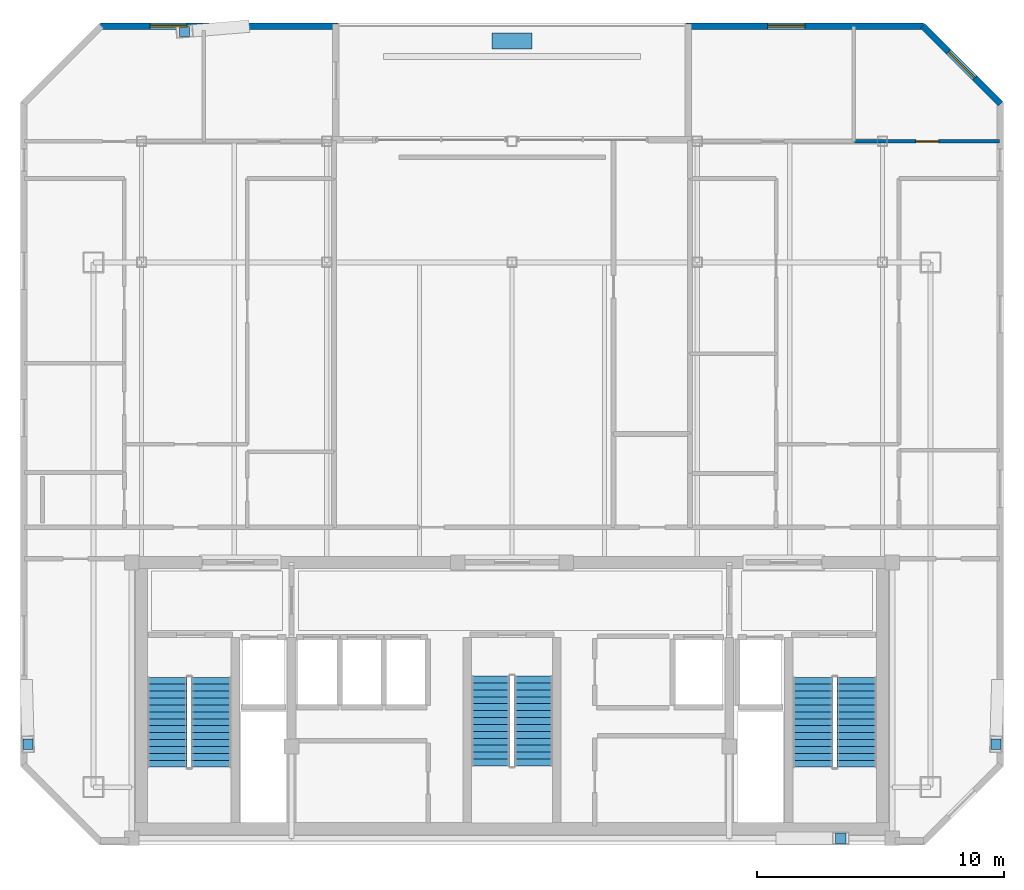
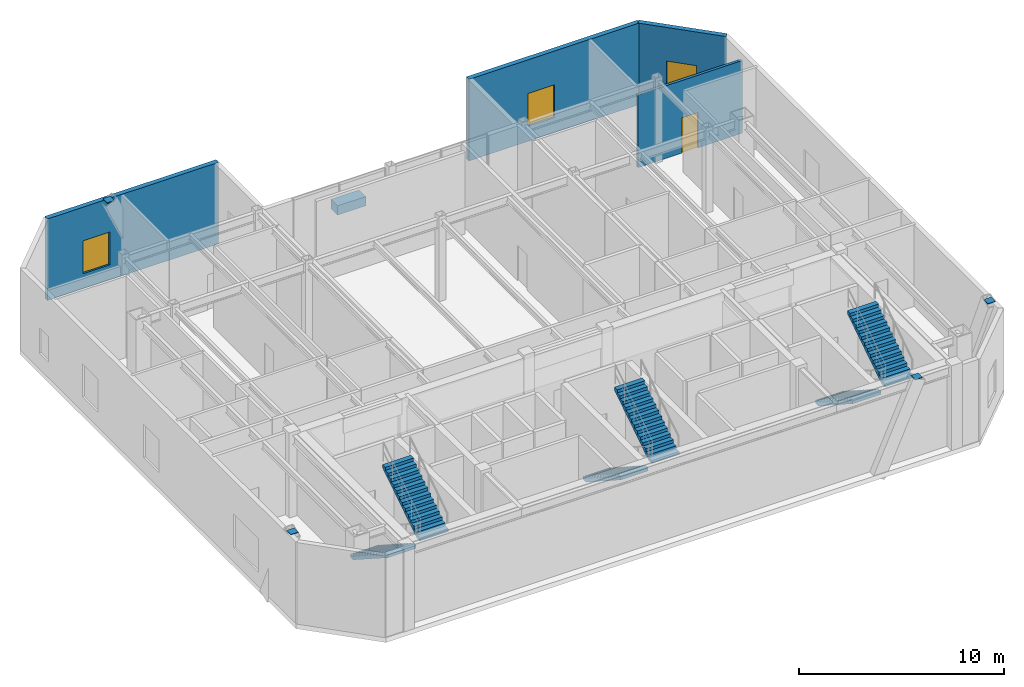
# One storey, part 10 of 11: 6 stair flights, 5 discrete accessories, 4 walls, 3 windows, 1 door, 4 openings, 3 elements without a shape of their own.
"""IFC4 building model written with IfcOpenShell, lengths in metres."""

from ifc_helpers import new_model, si_unit, direction, frame, frame_2d, origin, origin_2d, place, context, subcontext, project, spatial, polyline, rectangle, outline, extrude, material, layer, layer_set, type_object, element, fill, aggregate, save


model = new_model("IFC4")

# Units and contexts
model_context = context("Model", 3, precision=1e-05, world=origin(), true_north=direction((0.0, 1.0)))
body_context = subcontext(model_context, "Body", "Model", "MODEL_VIEW")
ifc_project = project(units=[si_unit("LENGTHUNIT", "METRE"), si_unit("AREAUNIT", "SQUARE_METRE"), si_unit("VOLUMEUNIT", "CUBIC_METRE"), si_unit("PLANEANGLEUNIT", "RADIAN"), si_unit("MASSUNIT", "GRAM", prefix="KILO")], contexts=[model_context])

# Site, building, storey
site_placement = place(None, origin())
site = spatial("IfcSite", under=ifc_project, at=site_placement, CompositionType="ELEMENT")
building_placement = place(site_placement, origin())
building = spatial("IfcBuilding", under=site, at=building_placement, Name="Ventersveld Concourse Tower", CompositionType="ELEMENT")
storey_placement = place(building_placement, frame((0.0, 0.0, 308.0)))
storey = spatial("IfcBuildingStorey", under=building, at=storey_placement, Name="L76", CompositionType="ELEMENT", Elevation=308.0)

# Wall, opening, door
ifc_material_1 = material(Name="Autoclaved aerated masonry blockwork", Category="masonry")
ifc_layer_1 = layer(ifc_material_1, 0.14990234375)
ifc_layer_set_1 = layer_set([ifc_layer_1], Name="Autoclaved aerated masonry blockwork")
wall_type_1 = type_object("IfcWallType", Name="WL-INT-150", PredefinedType="PARTITIONING", material=ifc_layer_set_1)
wall_1_placement = place(storey_placement, frame((42.623291015625, 28.5, 0.0), z_axis=(0.0, 0.0, 1.0), x_axis=(1.0, 0.0, 0.0)))
wall_1 = element("IfcWall", 1, at=wall_1_placement, inside=storey, type_object=wall_type_1, Name="L76 Interior Partition SP-L76-76CE-LIV-SP-L76-76CE-BR2", PredefinedType="PARTITIONING", context=body_context, shape_type="SweptSolid", body=[
    extrude(rectangle(XDim=5.87646484375, YDim=0.14990234375, at=frame_2d((2.938232421875, 0.0))), origin(), (0.0, 0.0, 1.0), 4.31689453125),
])
opening_1_placement = place(wall_1_placement, frame((2.47802734375, 0.0, 0.0)))
opening_1 = element("IfcOpeningElement", 2, at=opening_1_placement, cuts=wall_1, Name="Opening ID1", PredefinedType="OPENING", context=body_context, shape_type="SweptSolid", body=[
    extrude(rectangle(XDim=0.919921875, YDim=2.10009765625, at=frame_2d((0.4599609375, 1.050048828125))), frame((0.0, 0.0849609375, 0.0), z_axis=(0.0, -1.0, 0.0), x_axis=(1.0, 0.0, 0.0)), (0.0, 0.0, 1.0), 0.169921875),
])
ifc_material_2 = material(Name="Solid-core hardwood veneer timber", Category="wood")
door_type = type_object("IfcDoorType", Name="DR-ROOM-092", OperationType="NOTDEFINED", PredefinedType="DOOR", material=ifc_material_2)
door_placement = place(opening_1_placement, origin())
door = element("IfcDoor", 3, at=door_placement, inside=storey, type_object=door_type, Name="L76 Interior Door SP-L76-76CE-LIV to SP-L76-76CE-BR2 (D-L76-3512)", OperationType="SINGLE_SWING_RIGHT", OverallHeight=2.10009765625, OverallWidth=0.919921875, PredefinedType="DOOR", context=body_context, shape_type="SweptSolid", body=[
    extrude(rectangle(XDim=0.919921875, YDim=2.10009765625, at=frame_2d((0.4599609375, 1.050048828125))), frame((0.0, 0.02490234375, 0.0), z_axis=(0.0, -1.0, 0.0), x_axis=(1.0, 0.0, 0.0)), (0.0, 0.0, 1.0), 0.050048828125),
])
fill(opening_1, door)

# Wall, opening, window
ifc_material_3 = material(Name="Precast concrete C45/55", Category="concrete")
ifc_layer_2 = layer(ifc_material_3, 0.260009765625)
ifc_layer_set_2 = layer_set([ifc_layer_2], Name="Precast concrete C45/55")
wall_type_2 = type_object("IfcWallType", Name="WL-PREC-260", PredefinedType="SOLIDWALL", material=ifc_layer_set_2)
wall_2_placement = place(storey_placement, frame((48.529052734375, 30.029541015625, 0.0), z_axis=(0.0, 0.0, 1.0), x_axis=(-0.707134240044, 0.707079321262, 0.0)))
wall_2 = element("IfcWall", 4, at=wall_2_placement, inside=storey, type_object=wall_type_2, Name="L76 Highveld Precast Facade Wall E04", PredefinedType="SOLIDWALL", context=body_context, shape_type="SweptSolid", body=[
    extrude(rectangle(XDim=4.445556640625, YDim=0.260009765625, at=frame_2d((2.22265625, 0.0))), origin(), (0.0, 0.0, 1.0), 4.85009765625),
])
opening_2_placement = place(wall_2_placement, frame((1.47265625, 0.0, 0.89990234375)))
opening_2 = element("IfcOpeningElement", 5, at=opening_2_placement, cuts=wall_2, Name="Opening W1", PredefinedType="OPENING", context=body_context, shape_type="SweptSolid", body=[
    extrude(rectangle(XDim=1.5, YDim=1.949951171875, at=frame_2d((0.75, 0.97509765625))), frame((0.0, 0.14013671875, 0.0), z_axis=(0.0, -1.0, 0.0), x_axis=(1.0, 0.0, 0.0)), (0.0, 0.0, 1.0), 0.280029296875),
])
ifc_material_4 = material(Name="Tempered acoustic Low-E IGU", Category="glass")
window_type = type_object("IfcWindowType", Name="WIN-150x210", PartitioningType="SINGLE_PANEL", PredefinedType="WINDOW", material=ifc_material_4)
window_1_placement = place(opening_2_placement, origin())
window_1 = element("IfcWindow", 6, at=window_1_placement, inside=storey, type_object=window_type, Name="L76 Punched Low-E Window W-1089", OverallHeight=1.949951171875, OverallWidth=1.5, PartitioningType="SINGLE_PANEL", PredefinedType="WINDOW", context=body_context, shape_type="SweptSolid", body=[
    extrude(rectangle(XDim=1.5, YDim=1.949951171875, at=frame_2d((0.75, 0.97509765625))), frame((0.0, 0.030029296875, 0.0), z_axis=(0.0, -1.0, 0.0), x_axis=(1.0, 0.0, 0.0)), (0.0, 0.0, 1.0), 0.06005859375),
])
fill(opening_2, window_1)

wall_3_placement = place(storey_placement, frame((45.4091796875, 33.1630859375, 0.0), z_axis=(0.0, 0.0, 1.0), x_axis=(-1.0, 0.0, 0.0)))
wall_3 = element("IfcWall", 7, at=wall_3_placement, inside=storey, type_object=wall_type_2, Name="L76 Highveld Precast Facade Wall E05", PredefinedType="SOLIDWALL", context=body_context, shape_type="SweptSolid", body=[
    extrude(rectangle(XDim=9.619140625, YDim=0.260009765625, at=frame_2d((4.8095703125, 0.0))), origin(), (0.0, 0.0, 1.0), 4.85009765625),
])
opening_3_placement = place(wall_3_placement, frame((4.8046875, 0.0, 0.89990234375)))
opening_3 = element("IfcOpeningElement", 8, at=opening_3_placement, cuts=wall_3, Name="Opening W1", PredefinedType="OPENING", context=body_context, shape_type="SweptSolid", body=[
    extrude(rectangle(XDim=1.5, YDim=1.949951171875, at=frame_2d((0.75, 0.97509765625))), frame((0.0, 0.14013671875, 0.0), z_axis=(0.0, -1.0, 0.0), x_axis=(1.0, 0.0, 0.0)), (0.0, 0.0, 1.0), 0.280029296875),
])
window_2_placement = place(opening_3_placement, origin())
window_2 = element("IfcWindow", 9, at=window_2_placement, inside=storey, type_object=window_type, Name="L76 Punched Low-E Window W-1088", OverallHeight=1.949951171875, OverallWidth=1.5, PartitioningType="SINGLE_PANEL", PredefinedType="WINDOW", context=body_context, shape_type="SweptSolid", body=[
    extrude(rectangle(XDim=1.5, YDim=1.949951171875, at=frame_2d((0.75, 0.97509765625))), frame((0.0, 0.030029296875, 0.0), z_axis=(0.0, -1.0, 0.0), x_axis=(1.0, 0.0, 0.0)), (0.0, 0.0, 1.0), 0.06005859375),
])
fill(opening_3, window_2)

wall_4_placement = place(storey_placement, frame((21.7099609375, 33.1630859375, 0.0), z_axis=(0.0, 0.0, 1.0), x_axis=(-1.0, 0.0, 0.0)))
wall_4 = element("IfcWall", 10, at=wall_4_placement, inside=storey, type_object=wall_type_2, Name="L76 Highveld Precast Facade Wall E09", PredefinedType="SOLIDWALL", context=body_context, shape_type="SweptSolid", body=[
    extrude(rectangle(XDim=9.619140625, YDim=0.260009765625, at=frame_2d((4.8095703125, 0.0))), origin(), (0.0, 0.0, 1.0), 4.85009765625),
])
opening_4_placement = place(wall_4_placement, frame((6.11474609375, 0.0, 0.89990234375)))
opening_4 = element("IfcOpeningElement", 11, at=opening_4_placement, cuts=wall_4, Name="Opening W1", PredefinedType="OPENING", context=body_context, shape_type="SweptSolid", body=[
    extrude(rectangle(XDim=1.5, YDim=1.949951171875, at=frame_2d((0.75, 0.97509765625))), frame((0.0, 0.14013671875, 0.0), z_axis=(0.0, -1.0, 0.0), x_axis=(1.0, 0.0, 0.0)), (0.0, 0.0, 1.0), 0.280029296875),
])
window_3_placement = place(opening_4_placement, origin())
window_3 = element("IfcWindow", 12, at=window_3_placement, inside=storey, type_object=window_type, Name="L76 Punched Low-E Window W-1083", OverallHeight=1.949951171875, OverallWidth=1.5, PartitioningType="SINGLE_PANEL", PredefinedType="WINDOW", context=body_context, shape_type="SweptSolid", body=[
    extrude(rectangle(XDim=1.5, YDim=1.949951171875, at=frame_2d((0.75, 0.97509765625))), frame((0.0, 0.030029296875, 0.0), z_axis=(0.0, -1.0, 0.0), x_axis=(1.0, 0.0, 0.0)), (0.0, 0.0, 1.0), 0.06005859375),
])
fill(opening_4, window_3)

# Stair, stair flights
ifc_material_5 = material(Name="Concrete C50/60", Category="concrete")
stair_type_1 = type_object("IfcStairType", Name="ST-DOG-155", PredefinedType="HALF_TURN_STAIR", material=ifc_material_5)
stair_1_placement = place(storey_placement, origin())
stair_1 = element("IfcStair", 13, at=stair_1_placement, inside=storey, type_object=stair_type_1, Name="L76 Protected Central Core Escape Stair ST-03", PredefinedType="HALF_TURN_STAIR")
stair_flight_type_1 = type_object("IfcStairFlightType", Name="STF-RC-155", PredefinedType="STRAIGHT", material=ifc_material_5)
stair_flight_1_placement = place(storey_placement, frame((27.875, 6.85009765625, 0.0), z_axis=(0.0, 0.0, 1.0), x_axis=(0.0, -1.0, 0.0)))
stair_flight_1 = element("IfcStairFlight", 14, at=stair_flight_1_placement, type_object=stair_flight_type_1, Name="ST-03 flight 1", NumberOfRisers=14, NumberOfTreads=13, PredefinedType="STRAIGHT", RiserHeight=0.180357143, TreadLength=0.28, context=body_context, shape_type="SweptSolid", body=[
    extrude(outline(polyline([(0.0, 0.0), (0.0, 0.180419921875), (0.280029296875, 0.180419921875), (0.280029296875, 0.360595703125), (0.56005859375, 0.360595703125), (0.56005859375, 0.541015625), (0.840087890625, 0.541015625), (0.840087890625, 0.721435546875), (1.1201171875, 0.721435546875), (1.1201171875, 0.90185546875), (1.39990234375, 0.90185546875), (1.39990234375, 1.08203125), (1.679931640625, 1.08203125), (1.679931640625, 1.262451171875), (1.9599609375, 1.262451171875), (1.9599609375, 1.44287109375), (2.239990234375, 1.44287109375), (2.239990234375, 1.623291015625), (2.52001953125, 1.623291015625), (2.52001953125, 1.803466796875), (2.800048828125, 1.803466796875), (2.800048828125, 1.98388671875), (3.080078125, 1.98388671875), (3.080078125, 2.164306640625), (3.360107421875, 2.164306640625), (3.360107421875, 2.3447265625), (3.639892578125, 2.3447265625), (3.639892578125, 2.52490234375), (3.639892578125, 2.166259765625), (0.27685546875, 0.0), (0.0, 0.0)])), frame((0.0, 0.77490234375, 0.0), z_axis=(0.0, -1.0, 0.0), x_axis=(1.0, 0.0, 0.0)), (0.0, 0.0, 1.0), 1.550048828125),
])
stair_flight_2_placement = place(storey_placement, frame((29.625, 3.2099609375, 2.52490234375), z_axis=(0.0, 0.0, 1.0), x_axis=(0.0, 1.0, 0.0)))
stair_flight_2 = element("IfcStairFlight", 15, at=stair_flight_2_placement, type_object=stair_flight_type_1, Name="ST-03 flight 2", NumberOfRisers=14, NumberOfTreads=13, PredefinedType="STRAIGHT", RiserHeight=0.180357143, TreadLength=0.28, context=body_context, shape_type="SweptSolid", body=[
    extrude(outline(polyline([(0.0, 0.0), (0.0, 0.180419921875), (0.280029296875, 0.180419921875), (0.280029296875, 0.360595703125), (0.56005859375, 0.360595703125), (0.56005859375, 0.541015625), (0.840087890625, 0.541015625), (0.840087890625, 0.721435546875), (1.1201171875, 0.721435546875), (1.1201171875, 0.90185546875), (1.39990234375, 0.90185546875), (1.39990234375, 1.08203125), (1.679931640625, 1.08203125), (1.679931640625, 1.262451171875), (1.9599609375, 1.262451171875), (1.9599609375, 1.44287109375), (2.239990234375, 1.44287109375), (2.239990234375, 1.623291015625), (2.52001953125, 1.623291015625), (2.52001953125, 1.803466796875), (2.800048828125, 1.803466796875), (2.800048828125, 1.98388671875), (3.080078125, 1.98388671875), (3.080078125, 2.164306640625), (3.360107421875, 2.164306640625), (3.360107421875, 2.3447265625), (3.639892578125, 2.3447265625), (3.639892578125, 2.52490234375), (3.639892578125, 2.166259765625), (0.27685546875, 0.0), (0.0, 0.0)])), frame((0.0, 0.77490234375, 0.0), z_axis=(0.0, -1.0, 0.0), x_axis=(1.0, 0.0, 0.0)), (0.0, 0.0, 1.0), 1.550048828125),
])
aggregate(stair_1, [stair_flight_1, stair_flight_2])

stair_type_2 = type_object("IfcStairType", Name="ST-DOG-160", PredefinedType="HALF_TURN_STAIR", material=ifc_material_5)
stair_2_placement = place(storey_placement, origin())
stair_2 = element("IfcStair", 16, at=stair_2_placement, inside=storey, type_object=stair_type_2, Name="L76 Protected Tower Escape Stair ST-01", PredefinedType="HALF_TURN_STAIR")
stair_flight_type_2 = type_object("IfcStairFlightType", Name="STF-RC-160", PredefinedType="STRAIGHT", material=ifc_material_5)
stair_flight_3_placement = place(storey_placement, frame((14.780029296875, 6.800048828125, 0.0), z_axis=(0.0, 0.0, 1.0), x_axis=(0.0, -1.0, 0.0)))
stair_flight_3 = element("IfcStairFlight", 17, at=stair_flight_3_placement, type_object=stair_flight_type_2, Name="ST-01 flight 1", NumberOfRisers=14, NumberOfTreads=13, PredefinedType="STRAIGHT", RiserHeight=0.180357143, TreadLength=0.28, context=body_context, shape_type="SweptSolid", body=[
    extrude(outline(polyline([(0.0, 0.0), (0.0, 0.180419921875), (0.280029296875, 0.180419921875), (0.280029296875, 0.360595703125), (0.56005859375, 0.360595703125), (0.56005859375, 0.541015625), (0.840087890625, 0.541015625), (0.840087890625, 0.721435546875), (1.1201171875, 0.721435546875), (1.1201171875, 0.90185546875), (1.39990234375, 0.90185546875), (1.39990234375, 1.08203125), (1.679931640625, 1.08203125), (1.679931640625, 1.262451171875), (1.9599609375, 1.262451171875), (1.9599609375, 1.44287109375), (2.239990234375, 1.44287109375), (2.239990234375, 1.623291015625), (2.52001953125, 1.623291015625), (2.52001953125, 1.803466796875), (2.800048828125, 1.803466796875), (2.800048828125, 1.98388671875), (3.080078125, 1.98388671875), (3.080078125, 2.164306640625), (3.360107421875, 2.164306640625), (3.360107421875, 2.3447265625), (3.639892578125, 2.3447265625), (3.639892578125, 2.52490234375), (3.639892578125, 2.166259765625), (0.27685546875, 0.0), (0.0, 0.0)])), frame((0.0, 0.800048828125, 0.0), z_axis=(0.0, -1.0, 0.0), x_axis=(1.0, 0.0, 0.0)), (0.0, 0.0, 1.0), 1.60009765625),
])
stair_flight_4_placement = place(storey_placement, frame((16.580078125, 3.159912109375, 2.52490234375), z_axis=(0.0, 0.0, 1.0), x_axis=(0.0, 1.0, 0.0)))
stair_flight_4 = element("IfcStairFlight", 18, at=stair_flight_4_placement, type_object=stair_flight_type_2, Name="ST-01 flight 2", NumberOfRisers=14, NumberOfTreads=13, PredefinedType="STRAIGHT", RiserHeight=0.180357143, TreadLength=0.28, context=body_context, shape_type="SweptSolid", body=[
    extrude(outline(polyline([(0.0, 0.0), (0.0, 0.180419921875), (0.280029296875, 0.180419921875), (0.280029296875, 0.360595703125), (0.56005859375, 0.360595703125), (0.56005859375, 0.541015625), (0.840087890625, 0.541015625), (0.840087890625, 0.721435546875), (1.1201171875, 0.721435546875), (1.1201171875, 0.90185546875), (1.39990234375, 0.90185546875), (1.39990234375, 1.08203125), (1.679931640625, 1.08203125), (1.679931640625, 1.262451171875), (1.9599609375, 1.262451171875), (1.9599609375, 1.44287109375), (2.239990234375, 1.44287109375), (2.239990234375, 1.623291015625), (2.52001953125, 1.623291015625), (2.52001953125, 1.803466796875), (2.800048828125, 1.803466796875), (2.800048828125, 1.98388671875), (3.080078125, 1.98388671875), (3.080078125, 2.164306640625), (3.360107421875, 2.164306640625), (3.360107421875, 2.3447265625), (3.639892578125, 2.3447265625), (3.639892578125, 2.52490234375), (3.639892578125, 2.166259765625), (0.27685546875, 0.0), (0.0, 0.0)])), frame((0.0, 0.800048828125, 0.0), z_axis=(0.0, -1.0, 0.0), x_axis=(1.0, 0.0, 0.0)), (0.0, 0.0, 1.0), 1.60009765625),
])
aggregate(stair_2, [stair_flight_3, stair_flight_4])

stair_3_placement = place(storey_placement, origin())
stair_3 = element("IfcStair", 19, at=stair_3_placement, inside=storey, type_object=stair_type_2, Name="L76 Protected Tower Escape Stair ST-02", PredefinedType="HALF_TURN_STAIR")
stair_flight_5_placement = place(storey_placement, frame((40.919921875, 6.800048828125, 0.0), z_axis=(0.0, 0.0, 1.0), x_axis=(0.0, -1.0, 0.0)))
stair_flight_5 = element("IfcStairFlight", 20, at=stair_flight_5_placement, type_object=stair_flight_type_2, Name="ST-02 flight 1", NumberOfRisers=14, NumberOfTreads=13, PredefinedType="STRAIGHT", RiserHeight=0.180357143, TreadLength=0.28, context=body_context, shape_type="SweptSolid", body=[
    extrude(outline(polyline([(0.0, 0.0), (0.0, 0.180419921875), (0.280029296875, 0.180419921875), (0.280029296875, 0.360595703125), (0.56005859375, 0.360595703125), (0.56005859375, 0.541015625), (0.840087890625, 0.541015625), (0.840087890625, 0.721435546875), (1.1201171875, 0.721435546875), (1.1201171875, 0.90185546875), (1.39990234375, 0.90185546875), (1.39990234375, 1.08203125), (1.679931640625, 1.08203125), (1.679931640625, 1.262451171875), (1.9599609375, 1.262451171875), (1.9599609375, 1.44287109375), (2.239990234375, 1.44287109375), (2.239990234375, 1.623291015625), (2.52001953125, 1.623291015625), (2.52001953125, 1.803466796875), (2.800048828125, 1.803466796875), (2.800048828125, 1.98388671875), (3.080078125, 1.98388671875), (3.080078125, 2.164306640625), (3.360107421875, 2.164306640625), (3.360107421875, 2.3447265625), (3.639892578125, 2.3447265625), (3.639892578125, 2.52490234375), (3.639892578125, 2.166259765625), (0.27685546875, 0.0), (0.0, 0.0)])), frame((0.0, 0.800048828125, 0.0), z_axis=(0.0, -1.0, 0.0), x_axis=(1.0, 0.0, 0.0)), (0.0, 0.0, 1.0), 1.60009765625),
])
stair_flight_6_placement = place(storey_placement, frame((42.719970703125, 3.159912109375, 2.52490234375), z_axis=(0.0, 0.0, 1.0), x_axis=(0.0, 1.0, 0.0)))
stair_flight_6 = element("IfcStairFlight", 21, at=stair_flight_6_placement, type_object=stair_flight_type_2, Name="ST-02 flight 2", NumberOfRisers=14, NumberOfTreads=13, PredefinedType="STRAIGHT", RiserHeight=0.180357143, TreadLength=0.28, context=body_context, shape_type="SweptSolid", body=[
    extrude(outline(polyline([(0.0, 0.0), (0.0, 0.180419921875), (0.280029296875, 0.180419921875), (0.280029296875, 0.360595703125), (0.56005859375, 0.360595703125), (0.56005859375, 0.541015625), (0.840087890625, 0.541015625), (0.840087890625, 0.721435546875), (1.1201171875, 0.721435546875), (1.1201171875, 0.90185546875), (1.39990234375, 0.90185546875), (1.39990234375, 1.08203125), (1.679931640625, 1.08203125), (1.679931640625, 1.262451171875), (1.9599609375, 1.262451171875), (1.9599609375, 1.44287109375), (2.239990234375, 1.44287109375), (2.239990234375, 1.623291015625), (2.52001953125, 1.623291015625), (2.52001953125, 1.803466796875), (2.800048828125, 1.803466796875), (2.800048828125, 1.98388671875), (3.080078125, 1.98388671875), (3.080078125, 2.164306640625), (3.360107421875, 2.164306640625), (3.360107421875, 2.3447265625), (3.639892578125, 2.3447265625), (3.639892578125, 2.52490234375), (3.639892578125, 2.166259765625), (0.27685546875, 0.0), (0.0, 0.0)])), frame((0.0, 0.800048828125, 0.0), z_axis=(0.0, -1.0, 0.0), x_axis=(1.0, 0.0, 0.0)), (0.0, 0.0, 1.0), 1.60009765625),
])
aggregate(stair_3, [stair_flight_5, stair_flight_6])

# Discrete accessories
ifc_material_6 = material(Name="Structural steel S355J2", Category="steel")
discrete_accessory_type_1 = type_object("IfcDiscreteAccessoryType", Name="CONN-BRACE-ECP1", PredefinedType="BRACKET", material=ifc_material_6)
for number, where, z_axis, x_axis, name in (
    (22, (15.489501953125, 32.95068359375, 4.830078125), (0.0, 0.0, 1.0), (1.0, 0.0, 0.0), "L76 Steel Brace End Connection Plate ECP1-0486"),
    (23, (42.060546875, 0.280029296875, 4.830078125), (0.0, 0.0, 1.0), (1.0, 0.0, 0.0), "L76 Steel Brace End Connection Plate ECP1-0490"),
    (24, (9.15234375, 4.089599609375, 4.830078125), (0.0, 0.0, 1.0), (1.0, 0.0, 0.0), "L76 Steel Brace End Connection Plate ECP1-0494"),
    (25, (48.34765625, 4.089599609375, 4.830078125), (0.0, 0.0, 1.0), (1.0, 0.0, 0.0), "L76 Steel Brace End Connection Plate ECP1-0498"),
):
    element("IfcDiscreteAccessory", number, at=place(storey_placement, frame(where, z_axis=z_axis, x_axis=x_axis)), inside=storey, type_object=discrete_accessory_type_1, Name=name, PredefinedType="BRACKET", context=body_context, shape_type="SweptSolid", body=[
        extrude(rectangle(XDim=0.419921875, YDim=0.419921875, at=origin_2d()), origin(), (0.0, 0.0, 1.0), 0.0400390625),
    ])
discrete_accessory_type_2 = type_object("IfcDiscreteAccessoryType", Name="PLN-TERR-180", PredefinedType="USERDEFINED", material=ifc_material_3)
discrete_accessory_placement = place(storey_placement, frame((28.75, 32.572998046875, 0.0), z_axis=(0.0, 0.0, 1.0), x_axis=(1.0, 0.0, 0.0)))
element("IfcDiscreteAccessory", 26, at=discrete_accessory_placement, inside=storey, type_object=discrete_accessory_type_2, Name="L76 Planted Precast Terrace Planter Box SKYGARDEN", ObjectType="PLANTER", PredefinedType="USERDEFINED", context=body_context, shape_type="SweptSolid", body=[
    extrude(rectangle(XDim=1.60009765625, YDim=0.64990234375, at=origin_2d()), origin(), (0.0, 0.0, 1.0), 0.550048828125),
])

save(model, "model.ifc")
